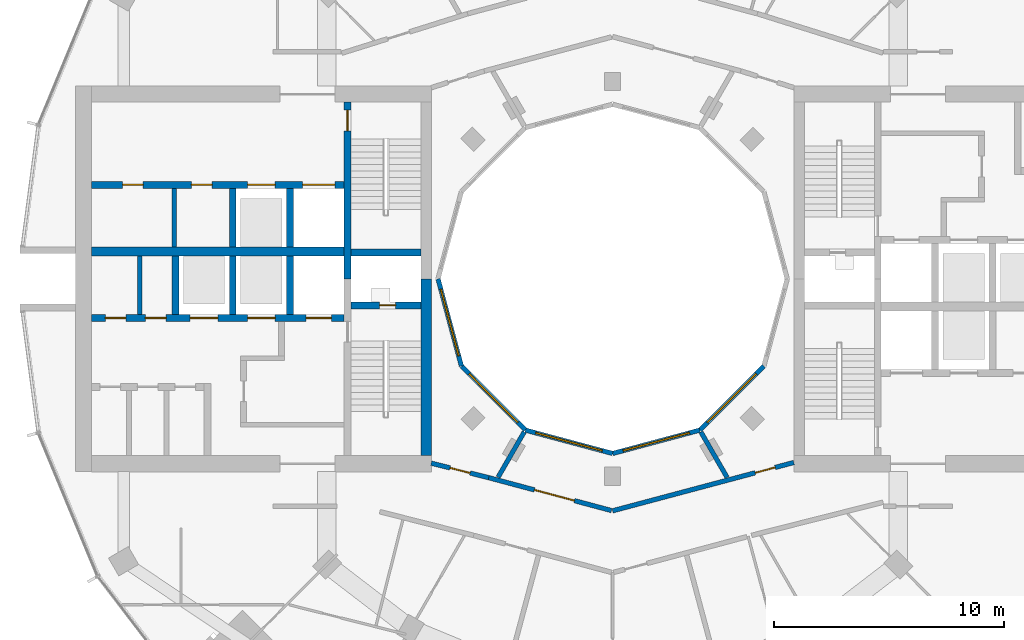
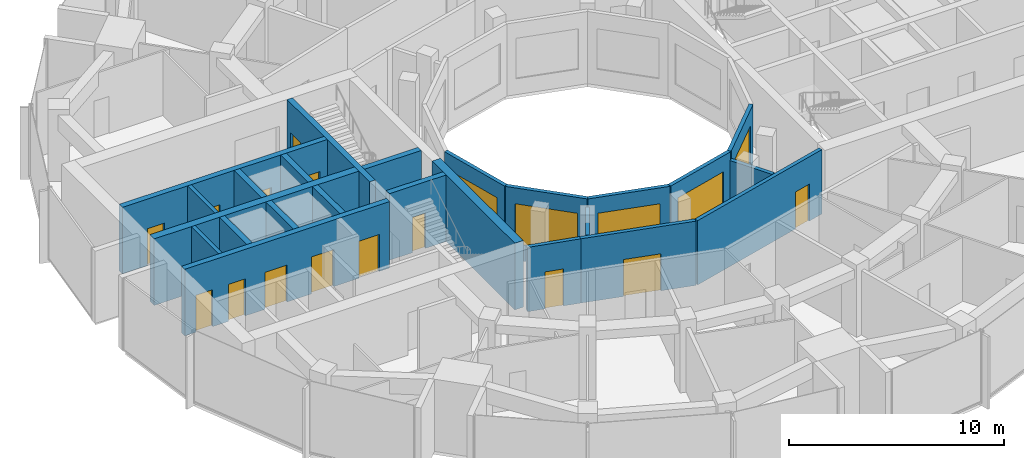
# One storey, part 9 of 15: 24 walls, 14 doors, 5 windows, 19 openings.
"""IFC4 building model written with IfcOpenShell, lengths in metres."""

from ifc_helpers import new_model, si_unit, direction, frame, frame_2d, origin, place, context, subcontext, project, spatial, rectangle, extrude, material, layer, layer_set, type_object, element, fill, save


model = new_model("IFC4")

# Units and contexts
model_context = context("Model", 3, precision=1e-05, world=origin(), true_north=direction((0.0, 1.0)))
body_context = subcontext(model_context, "Body", "Model", "MODEL_VIEW")
ifc_project = project(units=[si_unit("LENGTHUNIT", "METRE"), si_unit("AREAUNIT", "SQUARE_METRE"), si_unit("VOLUMEUNIT", "CUBIC_METRE"), si_unit("PLANEANGLEUNIT", "RADIAN"), si_unit("MASSUNIT", "GRAM", prefix="KILO")], contexts=[model_context])

# Site, building, storey
site_placement = place(None, origin())
site = spatial("IfcSite", under=ifc_project, at=site_placement, CompositionType="ELEMENT")
building_placement = place(site_placement, origin())
building = spatial("IfcBuilding", under=site, at=building_placement, Name="Torre Brocal", CompositionType="ELEMENT")
storey_placement = place(building_placement, frame((0.0, 0.0, 174.10009765625)))
storey = spatial("IfcBuildingStorey", under=building, at=storey_placement, Name="L40", CompositionType="ELEMENT", Elevation=174.10009765625)

# Walls
ifc_material_1 = material(Name="Masonry block", Category="masonry")
ifc_layer_1 = layer(ifc_material_1, 0.199951171875)
ifc_layer_set_1 = layer_set([ifc_layer_1], Name="Masonry block")
wall_type_1 = type_object("IfcWallType", Name="CORE PARTITION 200", PredefinedType="PARTITIONING", material=ifc_layer_set_1)
for number, where, z_axis, x_axis, name in (
    (1, (59.39990234375, 76.0, 0.0), (0.0, 0.0, 1.0), (0.0, -1.0, 0.0), "Wall CP200"),
    (2, (60.89990234375, 78.949951171875, 0.0), (0.0, 0.0, 1.0), (0.0, -1.0, 0.0), "Wall CP200"),
):
    element("IfcWall", number, at=place(storey_placement, frame(where, z_axis=z_axis, x_axis=x_axis)), inside=storey, type_object=wall_type_1, Name=name, PredefinedType="PARTITIONING", context=body_context, shape_type="SweptSolid", body=[
        extrude(rectangle(XDim=2.550048828125, YDim=0.199951171875, at=frame_2d((1.27490234375, 0.0))), origin(), (0.0, 0.0, 1.0), 3.77978515625),
    ])

# Wall, opening, door
ifc_material_2 = material(Name="Concrete C70", Category="concrete")
ifc_layer_2 = layer(ifc_material_2, 0.300048828125)
ifc_layer_set_2 = layer_set([ifc_layer_2], Name="Concrete C70")
wall_type_2 = type_object("IfcWallType", Name="CORE WALL 300 C70", PredefinedType="SHEAR", material=ifc_layer_set_2)
wall_1_placement = place(storey_placement, frame((68.449951171875, 82.699951171875, 0.0), z_axis=(0.0, 0.0, 1.0), x_axis=(0.0, -1.0, 0.0)))
wall_1 = element("IfcWall", 3, at=wall_1_placement, inside=storey, type_object=wall_type_2, Name="Wall CW300-70", PredefinedType="SHEAR", context=body_context, shape_type="SweptSolid", body=[
    extrude(rectangle(XDim=7.699951171875, YDim=0.300048828125, at=frame_2d((3.85009765625, 0.0))), origin(), (0.0, 0.0, 1.0), 3.77978515625),
])
opening_1_placement = place(wall_1_placement, frame((0.35009765625, 0.0, 0.0)))
opening_1 = element("IfcOpeningElement", 4, at=opening_1_placement, cuts=wall_1, Name="Opening W-D03", PredefinedType="OPENING", context=body_context, shape_type="SweptSolid", body=[
    extrude(rectangle(XDim=0.89990234375, YDim=2.10009765625, at=frame_2d((0.449951171875, 1.050048828125))), frame((0.0, 0.159912109375, 0.0), z_axis=(0.0, -1.0, 0.0), x_axis=(1.0, 0.0, 0.0)), (0.0, 0.0, 1.0), 0.320068359375),
])
ifc_material_3 = material(Name="Steel A653", Category="steel")
door_type_1 = type_object("IfcDoorType", Name="STAIR DOOR FD120 900X2100", OperationType="SINGLE_SWING_RIGHT", PredefinedType="DOOR", material=ifc_material_3)
door_1_placement = place(opening_1_placement, origin())
door_1 = element("IfcDoor", 5, at=door_1_placement, inside=storey, type_object=door_type_1, Name="Door W-D03", OperationType="SINGLE_SWING_LEFT", OverallHeight=2.10009765625, OverallWidth=0.89990234375, PredefinedType="DOOR", context=body_context, shape_type="SweptSolid", body=[
    extrude(rectangle(XDim=0.89990234375, YDim=2.10009765625, at=frame_2d((0.449951171875, 1.050048828125))), frame((0.0, 0.02490234375, 0.0), z_axis=(0.0, -1.0, 0.0), x_axis=(1.0, 0.0, 0.0)), (0.0, 0.0, 1.0), 0.050048828125),
])
fill(opening_1, door_1)

wall_2_placement = place(storey_placement, frame((71.64990234375, 73.85009765625, 0.0), z_axis=(0.0, 0.0, 1.0), x_axis=(-1.0, 0.0, 0.0)))
wall_2 = element("IfcWall", 6, at=wall_2_placement, inside=storey, type_object=wall_type_2, Name="Wall CW300-70", PredefinedType="SHEAR", context=body_context, shape_type="SweptSolid", body=[
    extrude(rectangle(XDim=3.0498046875, YDim=0.300048828125, at=frame_2d((1.52490234375, 0.0))), origin(), (0.0, 0.0, 1.0), 3.77978515625),
])
opening_2_placement = place(wall_2_placement, frame((1.10009765625, 0.0, 0.0)))
opening_2 = element("IfcOpeningElement", 7, at=opening_2_placement, cuts=wall_2, Name="Opening W-D01", PredefinedType="OPENING", context=body_context, shape_type="SweptSolid", body=[
    extrude(rectangle(XDim=0.699951171875, YDim=2.0, at=frame_2d((0.35009765625, 1.0))), frame((0.0, 0.159912109375, 0.0), z_axis=(0.0, -1.0, 0.0), x_axis=(1.0, 0.0, 0.0)), (0.0, 0.0, 1.0), 0.320068359375),
])
ifc_material_4 = material(Name="Steel A653", Category="steel")
door_type_2 = type_object("IfcDoorType", Name="RISER DOOR FD120 700X2000", OperationType="SINGLE_SWING_LEFT", PredefinedType="DOOR", material=ifc_material_4)
door_2_placement = place(opening_2_placement, frame((0.699951171875, 0.0, 0.0), z_axis=(0.0, 0.0, 1.0), x_axis=(-1.0, 0.0, 0.0)))
door_2 = element("IfcDoor", 8, at=door_2_placement, inside=storey, type_object=door_type_2, Name="Door W-D01", OperationType="SINGLE_SWING_RIGHT", OverallHeight=2.0, OverallWidth=0.699951171875, PredefinedType="DOOR", context=body_context, shape_type="SweptSolid", body=[
    extrude(rectangle(XDim=0.699951171875, YDim=2.0, at=frame_2d((0.35009765625, 1.0))), frame((0.0, 0.02490234375, 0.0), z_axis=(0.0, -1.0, 0.0), x_axis=(1.0, 0.0, 0.0)), (0.0, 0.0, 1.0), 0.050048828125),
])
fill(opening_2, door_2)

# Wall
wall_3_placement = place(storey_placement, frame((71.64990234375, 76.14990234375, 0.0), z_axis=(0.0, 0.0, 1.0), x_axis=(-1.0, 0.0, 0.0)))
element("IfcWall", 9, at=wall_3_placement, inside=storey, type_object=wall_type_2, Name="Wall CW300-70", PredefinedType="SHEAR", context=body_context, shape_type="SweptSolid", body=[
    extrude(rectangle(XDim=3.0498046875, YDim=0.300048828125, at=frame_2d((1.52490234375, 0.0))), origin(), (0.0, 0.0, 1.0), 3.77978515625),
])

# Wall, openings, doors
wall_4_placement = place(storey_placement, frame((68.300048828125, 73.300048828125, 0.0), z_axis=(0.0, 0.0, 1.0), x_axis=(-1.0, 0.0, 0.0)))
wall_4 = element("IfcWall", 10, at=wall_4_placement, inside=storey, type_object=wall_type_2, Name="Wall CW300-70", PredefinedType="SHEAR", context=body_context, shape_type="SweptSolid", body=[
    extrude(rectangle(XDim=11.0, YDim=0.300048828125, at=frame_2d((5.5, 0.0))), origin(), (0.0, 0.0, 1.0), 3.77978515625),
])
opening_3_placement = place(wall_4_placement, frame((0.550048828125, 0.0, 0.0)))
opening_3 = element("IfcOpeningElement", 11, at=opening_3_placement, cuts=wall_4, Name="Opening LD", PredefinedType="OPENING", context=body_context, shape_type="SweptSolid", body=[
    extrude(rectangle(XDim=1.10009765625, YDim=2.10009765625, at=frame_2d((0.550048828125, 1.050048828125))), frame((0.0, 0.159912109375, 0.0), z_axis=(0.0, -1.0, 0.0), x_axis=(1.0, 0.0, 0.0)), (0.0, 0.0, 1.0), 0.320068359375),
])
opening_4_placement = place(wall_4_placement, frame((3.0, 0.0, 0.0)))
opening_4 = element("IfcOpeningElement", 12, at=opening_4_placement, cuts=wall_4, Name="Opening LD12", PredefinedType="OPENING", context=body_context, shape_type="SweptSolid", body=[
    extrude(rectangle(XDim=1.199951171875, YDim=2.10009765625, at=frame_2d((0.60009765625, 1.050048828125))), frame((0.0, 0.159912109375, 0.0), z_axis=(0.0, -1.0, 0.0), x_axis=(1.0, 0.0, 0.0)), (0.0, 0.0, 1.0), 0.320068359375),
])
opening_5_placement = place(wall_4_placement, frame((5.5, 0.0, 0.0)))
opening_5 = element("IfcOpeningElement", 13, at=opening_5_placement, cuts=wall_4, Name="Opening LD12", PredefinedType="OPENING", context=body_context, shape_type="SweptSolid", body=[
    extrude(rectangle(XDim=1.199951171875, YDim=2.10009765625, at=frame_2d((0.60009765625, 1.050048828125))), frame((0.0, 0.159912109375, 0.0), z_axis=(0.0, -1.0, 0.0), x_axis=(1.0, 0.0, 0.0)), (0.0, 0.0, 1.0), 0.320068359375),
])
opening_6_placement = place(wall_4_placement, frame((7.75, 0.0, 0.0)))
opening_6 = element("IfcOpeningElement", 14, at=opening_6_placement, cuts=wall_4, Name="Opening W-D04", PredefinedType="OPENING", context=body_context, shape_type="SweptSolid", body=[
    extrude(rectangle(XDim=0.89990234375, YDim=2.10009765625, at=frame_2d((0.449951171875, 1.050048828125))), frame((0.0, 0.159912109375, 0.0), z_axis=(0.0, -1.0, 0.0), x_axis=(1.0, 0.0, 0.0)), (0.0, 0.0, 1.0), 0.320068359375),
])
opening_7_placement = place(wall_4_placement, frame((9.5, 0.0, 0.0)))
opening_7 = element("IfcOpeningElement", 15, at=opening_7_placement, cuts=wall_4, Name="Opening W-D05", PredefinedType="OPENING", context=body_context, shape_type="SweptSolid", body=[
    extrude(rectangle(XDim=0.89990234375, YDim=2.10009765625, at=frame_2d((0.449951171875, 1.050048828125))), frame((0.0, 0.159912109375, 0.0), z_axis=(0.0, -1.0, 0.0), x_axis=(1.0, 0.0, 0.0)), (0.0, 0.0, 1.0), 0.320068359375),
])
ifc_material_5 = material(Name="Stainless steel AISI 316", Category="steel")
door_type_3 = type_object("IfcDoorType", Name="LIFT LANDING DOOR 1100X2100", OperationType="DOUBLE_DOOR_SLIDING", PredefinedType="DOOR", material=ifc_material_5)
door_3_placement = place(opening_3_placement, origin())
door_3 = element("IfcDoor", 16, at=door_3_placement, inside=storey, type_object=door_type_3, Name="Door LD", OperationType="DOUBLE_DOOR_SLIDING", OverallHeight=2.10009765625, OverallWidth=1.10009765625, PredefinedType="DOOR", context=body_context, shape_type="SweptSolid", body=[
    extrude(rectangle(XDim=1.10009765625, YDim=2.10009765625, at=frame_2d((0.550048828125, 1.050048828125))), frame((0.0, 0.02490234375, 0.0), z_axis=(0.0, -1.0, 0.0), x_axis=(1.0, 0.0, 0.0)), (0.0, 0.0, 1.0), 0.050048828125),
])
fill(opening_3, door_3)
ifc_material_6 = material(Name="Stainless steel AISI 316", Category="steel")
door_type_4 = type_object("IfcDoorType", Name="LIFT LANDING DOOR 1200X2100", OperationType="DOUBLE_DOOR_SLIDING", PredefinedType="DOOR", material=ifc_material_6)
door_4_placement = place(opening_4_placement, origin())
door_4 = element("IfcDoor", 17, at=door_4_placement, inside=storey, type_object=door_type_4, Name="Door LD12", OperationType="DOUBLE_DOOR_SLIDING", OverallHeight=2.10009765625, OverallWidth=1.199951171875, PredefinedType="DOOR", context=body_context, shape_type="SweptSolid", body=[
    extrude(rectangle(XDim=1.199951171875, YDim=2.10009765625, at=frame_2d((0.60009765625, 1.050048828125))), frame((0.0, 0.02490234375, 0.0), z_axis=(0.0, -1.0, 0.0), x_axis=(1.0, 0.0, 0.0)), (0.0, 0.0, 1.0), 0.050048828125),
])
fill(opening_4, door_4)
door_5_placement = place(opening_5_placement, origin())
door_5 = element("IfcDoor", 18, at=door_5_placement, inside=storey, type_object=door_type_4, Name="Door LD12", OperationType="DOUBLE_DOOR_SLIDING", OverallHeight=2.10009765625, OverallWidth=1.199951171875, PredefinedType="DOOR", context=body_context, shape_type="SweptSolid", body=[
    extrude(rectangle(XDim=1.199951171875, YDim=2.10009765625, at=frame_2d((0.60009765625, 1.050048828125))), frame((0.0, 0.02490234375, 0.0), z_axis=(0.0, -1.0, 0.0), x_axis=(1.0, 0.0, 0.0)), (0.0, 0.0, 1.0), 0.050048828125),
])
fill(opening_5, door_5)
ifc_material_7 = material(Name="Steel A653", Category="steel")
door_type_5 = type_object("IfcDoorType", Name="ROOM DOOR FD30S 900X2100", OperationType="SINGLE_SWING_LEFT", PredefinedType="DOOR", material=ifc_material_7)
door_6_placement = place(opening_6_placement, frame((0.89990234375, 0.0, 0.0), z_axis=(0.0, 0.0, 1.0), x_axis=(-1.0, 0.0, 0.0)))
door_6 = element("IfcDoor", 19, at=door_6_placement, inside=storey, type_object=door_type_5, Name="Door W-D04", OperationType="SINGLE_SWING_LEFT", OverallHeight=2.10009765625, OverallWidth=0.89990234375, PredefinedType="DOOR", context=body_context, shape_type="SweptSolid", body=[
    extrude(rectangle(XDim=0.89990234375, YDim=2.10009765625, at=frame_2d((0.449951171875, 1.050048828125))), frame((0.0, 0.02490234375, 0.0), z_axis=(0.0, -1.0, 0.0), x_axis=(1.0, 0.0, 0.0)), (0.0, 0.0, 1.0), 0.050048828125),
])
fill(opening_6, door_6)
door_7_placement = place(opening_7_placement, frame((0.89990234375, 0.0, 0.0), z_axis=(0.0, 0.0, 1.0), x_axis=(-1.0, 0.0, 0.0)))
door_7 = element("IfcDoor", 20, at=door_7_placement, inside=storey, type_object=door_type_5, Name="Door W-D05", OperationType="SINGLE_SWING_RIGHT", OverallHeight=2.10009765625, OverallWidth=0.89990234375, PredefinedType="DOOR", context=body_context, shape_type="SweptSolid", body=[
    extrude(rectangle(XDim=0.89990234375, YDim=2.10009765625, at=frame_2d((0.449951171875, 1.050048828125))), frame((0.0, 0.02490234375, 0.0), z_axis=(0.0, -1.0, 0.0), x_axis=(1.0, 0.0, 0.0)), (0.0, 0.0, 1.0), 0.050048828125),
])
fill(opening_7, door_7)

wall_5_placement = place(storey_placement, frame((68.300048828125, 79.10009765625, 0.0), z_axis=(0.0, 0.0, 1.0), x_axis=(-1.0, 0.0, 0.0)))
wall_5 = element("IfcWall", 21, at=wall_5_placement, inside=storey, type_object=wall_type_2, Name="Wall CW300-70", PredefinedType="SHEAR", context=body_context, shape_type="SweptSolid", body=[
    extrude(rectangle(XDim=11.0, YDim=0.300048828125, at=frame_2d((5.5, 0.0))), origin(), (0.0, 0.0, 1.0), 3.77978515625),
])
opening_8_placement = place(wall_5_placement, frame((0.39990234375, 0.0, 0.0)))
opening_8 = element("IfcOpeningElement", 22, at=opening_8_placement, cuts=wall_5, Name="Opening LD14", PredefinedType="OPENING", context=body_context, shape_type="SweptSolid", body=[
    extrude(rectangle(XDim=1.39990234375, YDim=2.10009765625, at=frame_2d((0.699951171875, 1.050048828125))), frame((0.0, 0.159912109375, 0.0), z_axis=(0.0, -1.0, 0.0), x_axis=(1.0, 0.0, 0.0)), (0.0, 0.0, 1.0), 0.320068359375),
])
opening_9_placement = place(wall_5_placement, frame((3.0, 0.0, 0.0)))
opening_9 = element("IfcOpeningElement", 23, at=opening_9_placement, cuts=wall_5, Name="Opening LD12", PredefinedType="OPENING", context=body_context, shape_type="SweptSolid", body=[
    extrude(rectangle(XDim=1.199951171875, YDim=2.10009765625, at=frame_2d((0.60009765625, 1.050048828125))), frame((0.0, 0.159912109375, 0.0), z_axis=(0.0, -1.0, 0.0), x_axis=(1.0, 0.0, 0.0)), (0.0, 0.0, 1.0), 0.320068359375),
])
opening_10_placement = place(wall_5_placement, frame((5.75, 0.0, 0.0)))
opening_10 = element("IfcOpeningElement", 24, at=opening_10_placement, cuts=wall_5, Name="Opening W-D06", PredefinedType="OPENING", context=body_context, shape_type="SweptSolid", body=[
    extrude(rectangle(XDim=0.89990234375, YDim=2.10009765625, at=frame_2d((0.449951171875, 1.050048828125))), frame((0.0, 0.159912109375, 0.0), z_axis=(0.0, -1.0, 0.0), x_axis=(1.0, 0.0, 0.0)), (0.0, 0.0, 1.0), 0.320068359375),
])
opening_11_placement = place(wall_5_placement, frame((8.75, 0.0, 0.0)))
opening_11 = element("IfcOpeningElement", 25, at=opening_11_placement, cuts=wall_5, Name="Opening W-D07", PredefinedType="OPENING", context=body_context, shape_type="SweptSolid", body=[
    extrude(rectangle(XDim=0.89990234375, YDim=2.10009765625, at=frame_2d((0.449951171875, 1.050048828125))), frame((0.0, 0.159912109375, 0.0), z_axis=(0.0, -1.0, 0.0), x_axis=(1.0, 0.0, 0.0)), (0.0, 0.0, 1.0), 0.320068359375),
])
door_8_placement = place(opening_9_placement, origin())
door_8 = element("IfcDoor", 26, at=door_8_placement, inside=storey, type_object=door_type_4, Name="Door LD12", OperationType="DOUBLE_DOOR_SLIDING", OverallHeight=2.10009765625, OverallWidth=1.199951171875, PredefinedType="DOOR", context=body_context, shape_type="SweptSolid", body=[
    extrude(rectangle(XDim=1.199951171875, YDim=2.10009765625, at=frame_2d((0.60009765625, 1.050048828125))), frame((0.0, 0.02490234375, 0.0), z_axis=(0.0, -1.0, 0.0), x_axis=(1.0, 0.0, 0.0)), (0.0, 0.0, 1.0), 0.050048828125),
])
fill(opening_9, door_8)
ifc_material_8 = material(Name="Stainless steel AISI 316", Category="steel")
door_type_6 = type_object("IfcDoorType", Name="LIFT LANDING DOOR 1400X2100", OperationType="DOUBLE_DOOR_SLIDING", PredefinedType="DOOR", material=ifc_material_8)
door_9_placement = place(opening_8_placement, origin())
door_9 = element("IfcDoor", 27, at=door_9_placement, inside=storey, type_object=door_type_6, Name="Door LD14", OperationType="DOUBLE_DOOR_SLIDING", OverallHeight=2.10009765625, OverallWidth=1.39990234375, PredefinedType="DOOR", context=body_context, shape_type="SweptSolid", body=[
    extrude(rectangle(XDim=1.39990234375, YDim=2.10009765625, at=frame_2d((0.699951171875, 1.050048828125))), frame((0.0, 0.02490234375, 0.0), z_axis=(0.0, -1.0, 0.0), x_axis=(1.0, 0.0, 0.0)), (0.0, 0.0, 1.0), 0.050048828125),
])
fill(opening_8, door_9)
door_10_placement = place(opening_10_placement, origin())
door_10 = element("IfcDoor", 28, at=door_10_placement, inside=storey, type_object=door_type_5, Name="Door W-D06", OperationType="SINGLE_SWING_RIGHT", OverallHeight=2.10009765625, OverallWidth=0.89990234375, PredefinedType="DOOR", context=body_context, shape_type="SweptSolid", body=[
    extrude(rectangle(XDim=0.89990234375, YDim=2.10009765625, at=frame_2d((0.449951171875, 1.050048828125))), frame((0.0, 0.02490234375, 0.0), z_axis=(0.0, -1.0, 0.0), x_axis=(1.0, 0.0, 0.0)), (0.0, 0.0, 1.0), 0.050048828125),
])
fill(opening_10, door_10)
door_11_placement = place(opening_11_placement, origin())
door_11 = element("IfcDoor", 29, at=door_11_placement, inside=storey, type_object=door_type_5, Name="Door W-D07", OperationType="SINGLE_SWING_LEFT", OverallHeight=2.10009765625, OverallWidth=0.89990234375, PredefinedType="DOOR", context=body_context, shape_type="SweptSolid", body=[
    extrude(rectangle(XDim=0.89990234375, YDim=2.10009765625, at=frame_2d((0.449951171875, 1.050048828125))), frame((0.0, 0.02490234375, 0.0), z_axis=(0.0, -1.0, 0.0), x_axis=(1.0, 0.0, 0.0)), (0.0, 0.0, 1.0), 0.050048828125),
])
fill(opening_11, door_11)

# Walls
for number, where, z_axis, x_axis, name in (
    (30, (65.949951171875, 76.0, 0.0), (0.0, 0.0, 1.0), (0.0, -1.0, 0.0), "Wall CW300-70"),
    (31, (63.449951171875, 76.0, 0.0), (0.0, 0.0, 1.0), (0.0, -1.0, 0.0), "Wall CW300-70"),
    (32, (60.949951171875, 76.0, 0.0), (0.0, 0.0, 1.0), (0.0, -1.0, 0.0), "Wall CW300-70"),
    (33, (65.949951171875, 78.949951171875, 0.0), (0.0, 0.0, 1.0), (0.0, -1.0, 0.0), "Wall CW300-70"),
    (34, (63.449951171875, 78.949951171875, 0.0), (0.0, 0.0, 1.0), (0.0, -1.0, 0.0), "Wall CW300-70"),
):
    element("IfcWall", number, at=place(storey_placement, frame(where, z_axis=z_axis, x_axis=x_axis)), inside=storey, type_object=wall_type_2, Name=name, PredefinedType="SHEAR", context=body_context, shape_type="SweptSolid", body=[
        extrude(rectangle(XDim=2.550048828125, YDim=0.300048828125, at=frame_2d((1.27490234375, 0.0))), origin(), (0.0, 0.0, 1.0), 3.77978515625),
    ])
ifc_material_9 = material(Name="Concrete C70", Category="concrete")
ifc_layer_3 = layer(ifc_material_9, 0.39990234375)
ifc_layer_set_3 = layer_set([ifc_layer_3], Name="Concrete C70")
wall_type_3 = type_object("IfcWallType", Name="CORE WALL 400 C70", PredefinedType="SHEAR", material=ifc_layer_set_3)
wall_6_placement = place(storey_placement, frame((68.300048828125, 76.199951171875, 0.0), z_axis=(0.0, 0.0, 1.0), x_axis=(-1.0, 0.0, 0.0)))
element("IfcWall", 35, at=wall_6_placement, inside=storey, type_object=wall_type_3, Name="Wall CW400-70", PredefinedType="SHEAR", context=body_context, shape_type="SweptSolid", body=[
    extrude(rectangle(XDim=11.0, YDim=0.39990234375, at=frame_2d((5.5, 0.0))), origin(), (0.0, 0.0, 1.0), 3.77978515625),
])
ifc_material_10 = material(Name="Concrete C70", Category="concrete")
ifc_layer_4 = layer(ifc_material_10, 0.449951171875)
ifc_layer_set_4 = layer_set([ifc_layer_4], Name="Concrete C70")
wall_type_4 = type_object("IfcWallType", Name="CORE WALL 450 C70", PredefinedType="SHEAR", material=ifc_layer_set_4)
wall_7_placement = place(storey_placement, frame((71.875, 75.0, 0.0), z_axis=(0.0, 0.0, 1.0), x_axis=(0.0, -1.0, 0.0)))
element("IfcWall", 36, at=wall_7_placement, inside=storey, type_object=wall_type_4, Name="Wall CW450-70", PredefinedType="SHEAR", context=body_context, shape_type="SweptSolid", body=[
    extrude(rectangle(XDim=7.699951171875, YDim=0.449951171875, at=frame_2d((3.85009765625, 0.0))), origin(), (0.0, 0.0, 1.0), 3.77978515625),
])

# Wall, opening, door
ifc_material_11 = material(Name="Gypsum board", Category="Gypsum")
ifc_layer_5 = layer(ifc_material_11, 0.199951171875)
ifc_layer_set_5 = layer_set([ifc_layer_5], Name="Gypsum board")
wall_type_5 = type_object("IfcWallType", Name="PARTITION 200 EI60", PredefinedType="PARTITIONING", material=ifc_layer_set_5)
wall_8_placement = place(storey_placement, frame((72.10009765625, 66.97509765625, 0.0), z_axis=(0.0, 0.0, 1.0), x_axis=(0.969471314457, -0.245204752086, 0.0)))
wall_8 = element("IfcWall", 37, at=wall_8_placement, inside=storey, type_object=wall_type_5, Name="CORRIDOR WALL", PredefinedType="PARTITIONING", context=body_context, shape_type="SweptSolid", body=[
    extrude(rectangle(XDim=2.581787109375, YDim=0.199951171875, at=frame_2d((1.291015625, 0.0))), origin(), (0.0, 0.0, 1.0), 3.64990234375),
])
opening_12_placement = place(wall_8_placement, frame((0.8408203125, 0.0, 0.0)))
opening_12 = element("IfcOpeningElement", 38, at=opening_12_placement, cuts=wall_8, Name="Opening R02-D37", PredefinedType="OPENING", context=body_context, shape_type="SweptSolid", body=[
    extrude(rectangle(XDim=0.89990234375, YDim=2.10009765625, at=frame_2d((0.449951171875, 1.050048828125))), frame((0.0, 0.10986328125, 0.0), z_axis=(0.0, -1.0, 0.0), x_axis=(1.0, 0.0, 0.0)), (0.0, 0.0, 1.0), 0.219970703125),
])
ifc_material_12 = material(Name="Timber", Category="wood")
door_type_7 = type_object("IfcDoorType", Name="ROOM DOOR 900X2100", OperationType="SINGLE_SWING_LEFT", PredefinedType="DOOR", material=ifc_material_12)
door_12_placement = place(opening_12_placement, origin())
door_12 = element("IfcDoor", 39, at=door_12_placement, inside=storey, type_object=door_type_7, Name="R02-D37", OperationType="SINGLE_SWING_LEFT", OverallHeight=2.10009765625, OverallWidth=0.89990234375, PredefinedType="DOOR", context=body_context, shape_type="SweptSolid", body=[
    extrude(rectangle(XDim=0.89990234375, YDim=2.10009765625, at=frame_2d((0.449951171875, 1.050048828125))), frame((0.0, 0.02490234375, 0.0), z_axis=(0.0, -1.0, 0.0), x_axis=(1.0, 0.0, 0.0)), (0.0, 0.0, 1.0), 0.050048828125),
])
fill(opening_12, door_12)

wall_9_placement = place(storey_placement, frame((74.60302734375, 66.34228515625, 0.0), z_axis=(0.0, 0.0, 1.0), x_axis=(0.965895298152, -0.258932950796, 0.0)))
wall_9 = element("IfcWall", 40, at=wall_9_placement, inside=storey, type_object=wall_type_5, Name="CORRIDOR WALL", PredefinedType="PARTITIONING", context=body_context, shape_type="SweptSolid", body=[
    extrude(rectangle(XDim=5.53759765625, YDim=0.199951171875, at=frame_2d((2.768798828125, 0.0))), origin(), (0.0, 0.0, 1.0), 3.64990234375),
])
opening_13_placement = place(wall_9_placement, frame((2.0625, 0.0, 0.0)))
opening_13 = element("IfcOpeningElement", 41, at=opening_13_placement, cuts=wall_9, Name="Opening R02-D36", PredefinedType="OPENING", context=body_context, shape_type="SweptSolid", body=[
    extrude(rectangle(XDim=1.800048828125, YDim=2.10009765625, at=frame_2d((0.89990234375, 1.050048828125))), frame((0.0, 0.10986328125, 0.0), z_axis=(0.0, -1.0, 0.0), x_axis=(1.0, 0.0, 0.0)), (0.0, 0.0, 1.0), 0.219970703125),
])
ifc_material_13 = material(Name="Timber", Category="wood")
door_type_8 = type_object("IfcDoorType", Name="DOUBLE DOOR 1800X2100", OperationType="DOUBLE_DOOR_SINGLE_SWING", PredefinedType="DOOR", material=ifc_material_13)
door_13_placement = place(opening_13_placement, origin())
door_13 = element("IfcDoor", 42, at=door_13_placement, inside=storey, type_object=door_type_8, Name="R02-D36", OperationType="DOUBLE_DOOR_SINGLE_SWING", OverallHeight=2.10009765625, OverallWidth=1.800048828125, PredefinedType="DOOR", context=body_context, shape_type="SweptSolid", body=[
    extrude(rectangle(XDim=1.800048828125, YDim=2.10009765625, at=frame_2d((0.89990234375, 1.050048828125))), frame((0.0, 0.02490234375, 0.0), z_axis=(0.0, -1.0, 0.0), x_axis=(1.0, 0.0, 0.0)), (0.0, 0.0, 1.0), 0.050048828125),
])
fill(opening_13, door_13)

# Wall
wall_10_placement = place(storey_placement, frame((75.011962890625, 66.36328125, 0.0), z_axis=(0.0, 0.0, 1.0), x_axis=(0.500168489725, 0.86592810434, 0.0)))
element("IfcWall", 43, at=wall_10_placement, inside=storey, type_object=wall_type_5, Name="SERVICE ROOM WALL", PredefinedType="PARTITIONING", context=body_context, shape_type="SweptSolid", body=[
    extrude(rectangle(XDim=2.274169921875, YDim=0.199951171875, at=frame_2d((1.13720703125, 0.0))), origin(), (0.0, 0.0, 1.0), 3.64990234375),
])

# Wall, opening, door
wall_11_placement = place(storey_placement, frame((79.99951171875, 64.89794921875, 0.0), z_axis=(0.0, 0.0, 1.0), x_axis=(0.966237419782, 0.257653349704, 0.0)))
wall_11 = element("IfcWall", 44, at=wall_11_placement, inside=storey, type_object=wall_type_5, Name="CORRIDOR WALL", PredefinedType="PARTITIONING", context=body_context, shape_type="SweptSolid", body=[
    extrude(rectangle(XDim=8.1689453125, YDim=0.199951171875, at=frame_2d((4.08447265625, 0.0))), origin(), (0.0, 0.0, 1.0), 3.64990234375),
])
opening_14_placement = place(wall_11_placement, frame((6.427978515625, 0.0, 0.0)))
opening_14 = element("IfcOpeningElement", 45, at=opening_14_placement, cuts=wall_11, Name="Opening R02-D35", PredefinedType="OPENING", context=body_context, shape_type="SweptSolid", body=[
    extrude(rectangle(XDim=0.89990234375, YDim=2.10009765625, at=frame_2d((0.449951171875, 1.050048828125))), frame((0.0, 0.10986328125, 0.0), z_axis=(0.0, -1.0, 0.0), x_axis=(1.0, 0.0, 0.0)), (0.0, 0.0, 1.0), 0.219970703125),
])
door_14_placement = place(opening_14_placement, origin())
door_14 = element("IfcDoor", 46, at=door_14_placement, inside=storey, type_object=door_type_7, Name="R02-D35", OperationType="SINGLE_SWING_RIGHT", OverallHeight=2.10009765625, OverallWidth=0.89990234375, PredefinedType="DOOR", context=body_context, shape_type="SweptSolid", body=[
    extrude(rectangle(XDim=0.89990234375, YDim=2.10009765625, at=frame_2d((0.449951171875, 1.050048828125))), frame((0.0, 0.02490234375, 0.0), z_axis=(0.0, -1.0, 0.0), x_axis=(1.0, 0.0, 0.0)), (0.0, 0.0, 1.0), 0.050048828125),
])
fill(opening_14, door_14)

# Wall
wall_12_placement = place(storey_placement, frame((83.84716796875, 68.33056640625, 0.0), z_axis=(0.0, 0.0, 1.0), x_axis=(0.499851978358, -0.866110847255, 0.0)))
element("IfcWall", 47, at=wall_12_placement, inside=storey, type_object=wall_type_5, Name="PARTY PARTITION", PredefinedType="PARTITIONING", context=body_context, shape_type="SweptSolid", body=[
    extrude(rectangle(XDim=2.284423828125, YDim=0.199951171875, at=frame_2d((1.14208984375, 0.0))), origin(), (0.0, 0.0, 1.0), 3.64990234375),
])

# Wall, opening, window
ifc_material_14 = material(Name="Concrete C40", Category="concrete")
ifc_layer_6 = layer(ifc_material_14, 0.199951171875)
ifc_layer_set_6 = layer_set([ifc_layer_6], Name="Concrete C40")
wall_type_6 = type_object("IfcWallType", Name="WELL FACADE WALL 200", PredefinedType="NOTDEFINED", material=ifc_layer_set_6)
wall_13_placement = place(storey_placement, frame((72.396484375, 75.0, 0.0), z_axis=(0.0, 0.0, 1.0), x_axis=(0.258789828301, -0.965933654434, 0.0)))
wall_13 = element("IfcWall", 48, at=wall_13_placement, inside=storey, type_object=wall_type_6, Name="WELL FACADE WALL", PredefinedType="NOTDEFINED", context=body_context, shape_type="SweptSolid", body=[
    extrude(rectangle(XDim=3.935791015625, YDim=0.199951171875, at=frame_2d((1.9677734375, 0.0))), origin(), (0.0, 0.0, 1.0), 4.099853515625),
])
opening_15_placement = place(wall_13_placement, frame((0.468017578125, 0.0, 0.89990234375)))
opening_15 = element("IfcOpeningElement", 49, at=opening_15_placement, cuts=wall_13, Name="Opening W1", PredefinedType="OPENING", context=body_context, shape_type="SweptSolid", body=[
    extrude(rectangle(XDim=3.0, YDim=2.300048828125, at=frame_2d((1.5, 1.14990234375))), frame((0.0, 0.10986328125, 0.0), z_axis=(0.0, -1.0, 0.0), x_axis=(1.0, 0.0, 0.0)), (0.0, 0.0, 1.0), 0.219970703125),
])
ifc_material_15 = material(Name="Aluminium and glass", Category="aluminium")
window_type = type_object("IfcWindowType", Name="WELL WINDOW 3000X2300", PartitioningType="SINGLE_PANEL", PredefinedType="WINDOW", material=ifc_material_15)
window_1_placement = place(opening_15_placement, origin())
window_1 = element("IfcWindow", 50, at=window_1_placement, inside=storey, type_object=window_type, Name="WELL WINDOW 3000X2300", OverallHeight=2.300048828125, OverallWidth=3.0, PartitioningType="SINGLE_PANEL", PredefinedType="WINDOW", context=body_context, shape_type="SweptSolid", body=[
    extrude(rectangle(XDim=3.0, YDim=2.300048828125, at=frame_2d((1.5, 1.14990234375))), frame((0.0, 0.030029296875, 0.0), z_axis=(0.0, -1.0, 0.0), x_axis=(1.0, 0.0, 0.0)), (0.0, 0.0, 1.0), 0.06005859375),
])
fill(opening_15, window_1)

wall_14_placement = place(storey_placement, frame((73.4150390625, 71.1982421875, 0.0), z_axis=(0.0, 0.0, 1.0), x_axis=(0.707106781187, -0.707106781187, 0.0)))
wall_14 = element("IfcWall", 51, at=wall_14_placement, inside=storey, type_object=wall_type_6, Name="WELL FACADE WALL", PredefinedType="NOTDEFINED", context=body_context, shape_type="SweptSolid", body=[
    extrude(rectangle(XDim=3.93603515625, YDim=0.199951171875, at=frame_2d((1.968017578125, 0.0))), origin(), (0.0, 0.0, 1.0), 4.099853515625),
])
opening_16_placement = place(wall_14_placement, frame((0.468017578125, 0.0, 0.89990234375)))
opening_16 = element("IfcOpeningElement", 52, at=opening_16_placement, cuts=wall_14, Name="Opening W1", PredefinedType="OPENING", context=body_context, shape_type="SweptSolid", body=[
    extrude(rectangle(XDim=3.0, YDim=2.300048828125, at=frame_2d((1.5, 1.14990234375))), frame((0.0, 0.10986328125, 0.0), z_axis=(0.0, -1.0, 0.0), x_axis=(1.0, 0.0, 0.0)), (0.0, 0.0, 1.0), 0.219970703125),
])
window_2_placement = place(opening_16_placement, origin())
window_2 = element("IfcWindow", 53, at=window_2_placement, inside=storey, type_object=window_type, Name="WELL WINDOW 3000X2300", OverallHeight=2.300048828125, OverallWidth=3.0, PartitioningType="SINGLE_PANEL", PredefinedType="WINDOW", context=body_context, shape_type="SweptSolid", body=[
    extrude(rectangle(XDim=3.0, YDim=2.300048828125, at=frame_2d((1.5, 1.14990234375))), frame((0.0, 0.030029296875, 0.0), z_axis=(0.0, -1.0, 0.0), x_axis=(1.0, 0.0, 0.0)), (0.0, 0.0, 1.0), 0.06005859375),
])
fill(opening_16, window_2)

wall_15_placement = place(storey_placement, frame((76.1982421875, 68.4150390625, 0.0), z_axis=(0.0, 0.0, 1.0), x_axis=(0.965933654434, -0.258789828301, 0.0)))
wall_15 = element("IfcWall", 54, at=wall_15_placement, inside=storey, type_object=wall_type_6, Name="WELL FACADE WALL", PredefinedType="NOTDEFINED", context=body_context, shape_type="SweptSolid", body=[
    extrude(rectangle(XDim=3.935791015625, YDim=0.199951171875, at=frame_2d((1.9677734375, 0.0))), origin(), (0.0, 0.0, 1.0), 4.099853515625),
])
opening_17_placement = place(wall_15_placement, frame((0.468017578125, 0.0, 0.89990234375)))
opening_17 = element("IfcOpeningElement", 55, at=opening_17_placement, cuts=wall_15, Name="Opening W1", PredefinedType="OPENING", context=body_context, shape_type="SweptSolid", body=[
    extrude(rectangle(XDim=3.0, YDim=2.300048828125, at=frame_2d((1.5, 1.14990234375))), frame((0.0, 0.10986328125, 0.0), z_axis=(0.0, -1.0, 0.0), x_axis=(1.0, 0.0, 0.0)), (0.0, 0.0, 1.0), 0.219970703125),
])
window_3_placement = place(opening_17_placement, origin())
window_3 = element("IfcWindow", 56, at=window_3_placement, inside=storey, type_object=window_type, Name="WELL WINDOW 3000X2300", OverallHeight=2.300048828125, OverallWidth=3.0, PartitioningType="SINGLE_PANEL", PredefinedType="WINDOW", context=body_context, shape_type="SweptSolid", body=[
    extrude(rectangle(XDim=3.0, YDim=2.300048828125, at=frame_2d((1.5, 1.14990234375))), frame((0.0, 0.030029296875, 0.0), z_axis=(0.0, -1.0, 0.0), x_axis=(1.0, 0.0, 0.0)), (0.0, 0.0, 1.0), 0.06005859375),
])
fill(opening_17, window_3)

wall_16_placement = place(storey_placement, frame((80.0, 67.396484375, 0.0), z_axis=(0.0, 0.0, 1.0), x_axis=(0.965933654434, 0.258789828301, 0.0)))
wall_16 = element("IfcWall", 57, at=wall_16_placement, inside=storey, type_object=wall_type_6, Name="WELL FACADE WALL", PredefinedType="NOTDEFINED", context=body_context, shape_type="SweptSolid", body=[
    extrude(rectangle(XDim=3.935791015625, YDim=0.199951171875, at=frame_2d((1.9677734375, 0.0))), origin(), (0.0, 0.0, 1.0), 4.099853515625),
])
opening_18_placement = place(wall_16_placement, frame((0.468017578125, 0.0, 0.89990234375)))
opening_18 = element("IfcOpeningElement", 58, at=opening_18_placement, cuts=wall_16, Name="Opening W1", PredefinedType="OPENING", context=body_context, shape_type="SweptSolid", body=[
    extrude(rectangle(XDim=3.0, YDim=2.300048828125, at=frame_2d((1.5, 1.14990234375))), frame((0.0, 0.10986328125, 0.0), z_axis=(0.0, -1.0, 0.0), x_axis=(1.0, 0.0, 0.0)), (0.0, 0.0, 1.0), 0.219970703125),
])
window_4_placement = place(opening_18_placement, origin())
window_4 = element("IfcWindow", 59, at=window_4_placement, inside=storey, type_object=window_type, Name="WELL WINDOW 3000X2300", OverallHeight=2.300048828125, OverallWidth=3.0, PartitioningType="SINGLE_PANEL", PredefinedType="WINDOW", context=body_context, shape_type="SweptSolid", body=[
    extrude(rectangle(XDim=3.0, YDim=2.300048828125, at=frame_2d((1.5, 1.14990234375))), frame((0.0, 0.030029296875, 0.0), z_axis=(0.0, -1.0, 0.0), x_axis=(1.0, 0.0, 0.0)), (0.0, 0.0, 1.0), 0.06005859375),
])
fill(opening_18, window_4)

wall_17_placement = place(storey_placement, frame((83.8017578125, 68.4150390625, 0.0), z_axis=(0.0, 0.0, 1.0), x_axis=(0.707106781187, 0.707106781187, 0.0)))
wall_17 = element("IfcWall", 60, at=wall_17_placement, inside=storey, type_object=wall_type_6, Name="WELL FACADE WALL", PredefinedType="NOTDEFINED", context=body_context, shape_type="SweptSolid", body=[
    extrude(rectangle(XDim=3.93603515625, YDim=0.199951171875, at=frame_2d((1.968017578125, 0.0))), origin(), (0.0, 0.0, 1.0), 4.099853515625),
])
opening_19_placement = place(wall_17_placement, frame((0.468017578125, 0.0, 0.89990234375)))
opening_19 = element("IfcOpeningElement", 61, at=opening_19_placement, cuts=wall_17, Name="Opening W1", PredefinedType="OPENING", context=body_context, shape_type="SweptSolid", body=[
    extrude(rectangle(XDim=3.0, YDim=2.300048828125, at=frame_2d((1.5, 1.14990234375))), frame((0.0, 0.10986328125, 0.0), z_axis=(0.0, -1.0, 0.0), x_axis=(1.0, 0.0, 0.0)), (0.0, 0.0, 1.0), 0.219970703125),
])
window_5_placement = place(opening_19_placement, origin())
window_5 = element("IfcWindow", 62, at=window_5_placement, inside=storey, type_object=window_type, Name="WELL WINDOW 3000X2300", OverallHeight=2.300048828125, OverallWidth=3.0, PartitioningType="SINGLE_PANEL", PredefinedType="WINDOW", context=body_context, shape_type="SweptSolid", body=[
    extrude(rectangle(XDim=3.0, YDim=2.300048828125, at=frame_2d((1.5, 1.14990234375))), frame((0.0, 0.030029296875, 0.0), z_axis=(0.0, -1.0, 0.0), x_axis=(1.0, 0.0, 0.0)), (0.0, 0.0, 1.0), 0.06005859375),
])
fill(opening_19, window_5)

save(model, "model.ifc")
